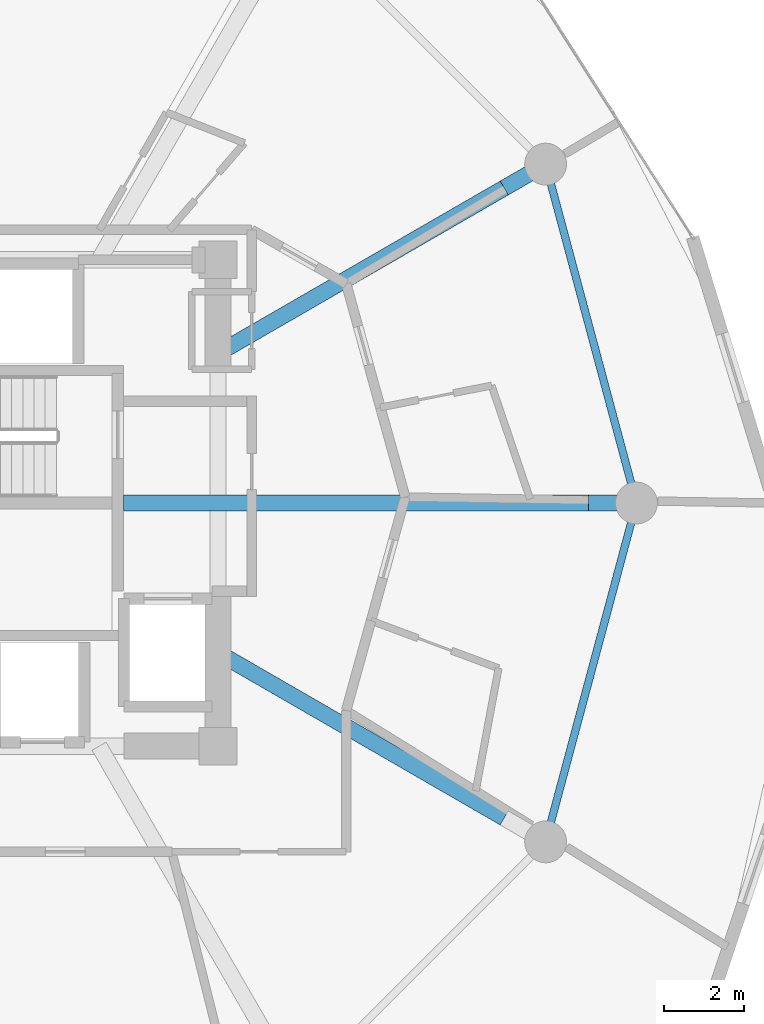
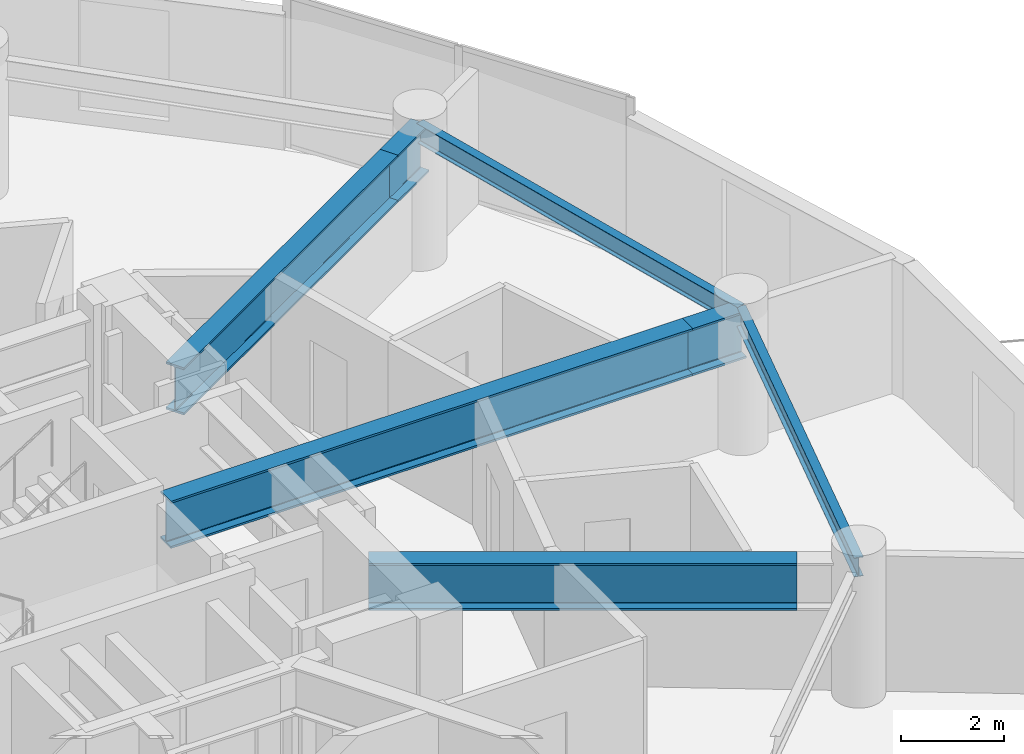
# One storey, part 10 of 22: 7 beams.
"""IFC4 building model written with IfcOpenShell, lengths in metres."""

from ifc_helpers import new_model, si_unit, direction, frame, origin, origin_2d, place, context, subcontext, project, spatial, i_section, extrude, material, material_profile, profile_set, type_object, element, save


model = new_model("IFC4")

# Units and contexts
model_context = context("Model", 3, precision=1e-05, world=origin(), true_north=direction((0.0, 1.0)))
body_context = subcontext(model_context, "Body", "Model", "MODEL_VIEW")
ifc_project = project(units=[si_unit("LENGTHUNIT", "METRE"), si_unit("AREAUNIT", "SQUARE_METRE"), si_unit("VOLUMEUNIT", "CUBIC_METRE"), si_unit("PLANEANGLEUNIT", "RADIAN"), si_unit("MASSUNIT", "GRAM", prefix="KILO")], contexts=[model_context])

# Site, building, storey
site_placement = place(None, origin())
site = spatial("IfcSite", under=ifc_project, at=site_placement, CompositionType="ELEMENT")
building_placement = place(site_placement, origin())
building = spatial("IfcBuilding", under=site, at=building_placement, Name="Solvirekh Grand Hotel", CompositionType="ELEMENT")
storey_placement = place(building_placement, frame((0.0, 0.0, 160.199951171875)))
storey = spatial("IfcBuildingStorey", under=building, at=storey_placement, Name="L41", CompositionType="ELEMENT", Elevation=160.199951171875)

# Beams
ifc_material_1 = material(Name="Steel S355", Category="steel")
ifc_material_profile_1 = material_profile(ifc_material_1, i_section(OverallWidth=0.18994140625, OverallDepth=0.45703125, WebThickness=0.009033203125, FlangeThickness=0.013916015625, FilletRadius=0.012939453125, at=origin_2d()), Name="W460X74")
ifc_profile_set_1 = profile_set([ifc_material_profile_1], Name="Steel S355")
beam_type_1 = type_object("IfcBeamType", Name="Spandrel_Ring_W460", PredefinedType="SPANDREL", material=ifc_profile_set_1)
for number, where, z_axis, x_axis, name in (
    (1, (17.0, 0.0, 2.97216796875), (-0.258872908946, 0.965911391906, 0.0), (-0.965911391906, -0.258872908946, 0.0), "L41 perimeter spandrel beam 1"),
    (2, (14.721923828125, -8.5, 2.97216796875), (0.258872908946, 0.965911391906, 0.0), (-0.965911391906, 0.258872908946, 0.0), "L41 perimeter spandrel beam 12"),
):
    element("IfcBeam", number, at=place(storey_placement, frame(where, z_axis=z_axis, x_axis=x_axis)), inside=storey, type_object=beam_type_1, Name=name, PredefinedType="SPANDREL", context=body_context, shape_type="SweptSolid", body=[
        extrude(i_section(OverallWidth=0.18994140625, OverallDepth=0.45703125, WebThickness=0.009033203125, FlangeThickness=0.013916015625, FilletRadius=0.012939453125, at=origin_2d()), origin(), (0.0, 0.0, 1.0), 8.800048828125),
    ])
ifc_material_2 = material(Name="Steel S460", Category="steel")
ifc_material_profile_2 = material_profile(ifc_material_2, i_section(OverallWidth=0.405029296875, OverallDepth=1.117919921875, WebThickness=0.02587890625, FlangeThickness=0.048095703125, FilletRadius=0.02392578125, at=origin_2d()), Name="W1100X499")
ifc_profile_set_2 = profile_set([ifc_material_profile_2], Name="Steel S460")
beam_type_2 = type_object("IfcBeamType", Name="TransferGirder_W1100", PredefinedType="USERDEFINED", material=ifc_profile_set_2)
beam_1_placement = place(storey_placement, frame((4.1298828125, 0.0, 2.64111328125), z_axis=(1.0, 0.0, 0.0), x_axis=(0.0, 1.0, 0.0)))
element("IfcBeam", 3, at=beam_1_placement, inside=storey, type_object=beam_type_2, Name="L41 inner radial transfer girder 1A", ObjectType="TRANSFER GIRDER", PredefinedType="USERDEFINED", context=body_context, shape_type="SweptSolid", body=[
    extrude(i_section(OverallWidth=0.405029296875, OverallDepth=1.117919921875, WebThickness=0.02587890625, FlangeThickness=0.048095703125, FilletRadius=0.02392578125, at=origin_2d()), origin(), (0.0, 0.0, 1.0), 11.670166015625),
])
beam_2_placement = place(storey_placement, frame((15.800048828125, 0.0, 2.64111328125), z_axis=(1.0, 0.0, 0.0), x_axis=(0.0, 1.0, 0.0)))
element("IfcBeam", 4, at=beam_2_placement, inside=storey, type_object=beam_type_2, Name="L41 outer radial transfer girder 1B", ObjectType="TRANSFER GIRDER", PredefinedType="USERDEFINED", context=body_context, shape_type="SweptSolid", body=[
    extrude(i_section(OverallWidth=0.405029296875, OverallDepth=1.117919921875, WebThickness=0.02587890625, FlangeThickness=0.048095703125, FilletRadius=0.02392578125, at=origin_2d()), origin(), (0.0, 0.0, 1.0), 1.199951171875),
])
beam_3_placement = place(storey_placement, frame((6.5, 3.751953125, 2.64111328125), z_axis=(0.865984612176, 0.500070646484, 0.0), x_axis=(-0.500070646484, 0.865984612176, 0.0)))
element("IfcBeam", 5, at=beam_3_placement, inside=storey, type_object=beam_type_2, Name="L41 inner radial transfer girder 2A", ObjectType="TRANSFER GIRDER", PredefinedType="USERDEFINED", context=body_context, shape_type="SweptSolid", body=[
    extrude(i_section(OverallWidth=0.405029296875, OverallDepth=1.117919921875, WebThickness=0.02587890625, FlangeThickness=0.048095703125, FilletRadius=0.02392578125, at=origin_2d()), origin(), (0.0, 0.0, 1.0), 8.294677734375),
])
beam_4_placement = place(storey_placement, frame((13.68310546875, 7.89990234375, 2.64111328125), z_axis=(0.865904249203, 0.500209787201, 0.0), x_axis=(-0.500209787201, 0.865904249203, 0.0)))
element("IfcBeam", 6, at=beam_4_placement, inside=storey, type_object=beam_type_2, Name="L41 outer radial transfer girder 2B", ObjectType="TRANSFER GIRDER", PredefinedType="USERDEFINED", context=body_context, shape_type="SweptSolid", body=[
    extrude(i_section(OverallWidth=0.405029296875, OverallDepth=1.117919921875, WebThickness=0.02587890625, FlangeThickness=0.048095703125, FilletRadius=0.02392578125, at=origin_2d()), origin(), (0.0, 0.0, 1.0), 1.19970703125),
])
beam_5_placement = place(storey_placement, frame((6.5, -3.751953125, 2.64111328125), z_axis=(0.865984612176, -0.500070646484, 0.0), x_axis=(0.500070646484, 0.865984612176, 0.0)))
element("IfcBeam", 7, at=beam_5_placement, inside=storey, type_object=beam_type_2, Name="L41 inner radial transfer girder 12A", ObjectType="TRANSFER GIRDER", PredefinedType="USERDEFINED", context=body_context, shape_type="SweptSolid", body=[
    extrude(i_section(OverallWidth=0.405029296875, OverallDepth=1.117919921875, WebThickness=0.02587890625, FlangeThickness=0.048095703125, FilletRadius=0.02392578125, at=origin_2d()), origin(), (0.0, 0.0, 1.0), 8.294677734375),
])

save(model, "model.ifc")
